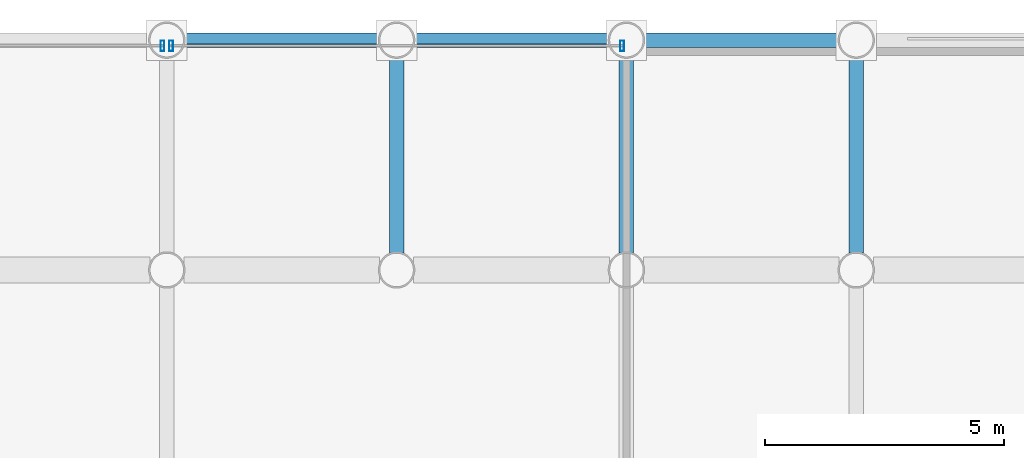
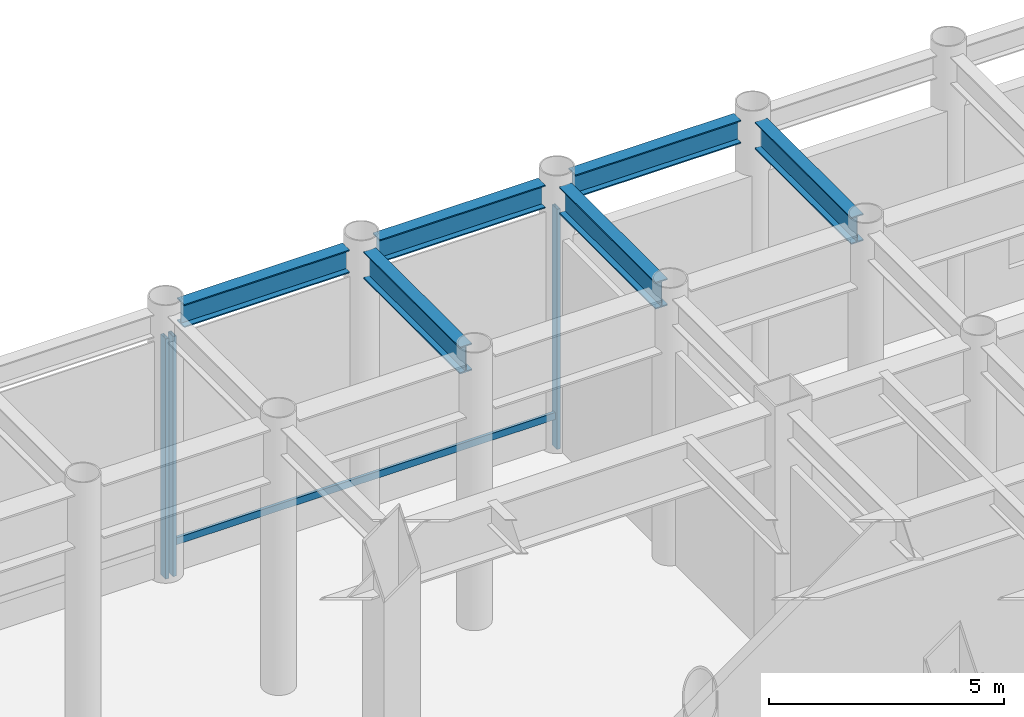
# One storey, part 12 of 23: 6 beams, 4 members, 2 elements without a shape of their own.
"""IFC4 building model written with IfcOpenShell, lengths in metres."""

from ifc_helpers import new_model, si_unit, direction, frame, origin, origin_2d, place, context, subcontext, project, spatial, hollow_rectangle, i_section, extrude, material, layer, layer_set, material_profile, profile_set, type_object, element, aggregate, save


model = new_model("IFC4")

# Units and contexts
model_context = context("Model", 3, precision=1e-05, world=origin(), true_north=direction((0.0, 1.0)))
body_context = subcontext(model_context, "Body", "Model", "MODEL_VIEW")
ifc_project = project(units=[si_unit("LENGTHUNIT", "METRE"), si_unit("AREAUNIT", "SQUARE_METRE"), si_unit("VOLUMEUNIT", "CUBIC_METRE"), si_unit("PLANEANGLEUNIT", "RADIAN"), si_unit("MASSUNIT", "GRAM", prefix="KILO")], contexts=[model_context])

# Site, building, storey
site_placement = place(None, origin())
site = spatial("IfcSite", under=ifc_project, at=site_placement, CompositionType="ELEMENT")
building_placement = place(site_placement, origin())
building = spatial("IfcBuilding", under=site, at=building_placement, Name="Kallvorn Hotel Tower", CompositionType="ELEMENT")
storey_placement = place(building_placement, frame((0.0, 0.0, 12.0)))
storey = spatial("IfcBuildingStorey", under=building, at=storey_placement, Name="L02", CompositionType="ELEMENT", Elevation=12.0)

# Beams
ifc_material_1 = material(Name="Structural steel S355JR", Category="steel")
ifc_material_profile_1 = material_profile(ifc_material_1, i_section(OverallWidth=0.300048828125, OverallDepth=0.60009765625, WebThickness=0.015380859375, FlangeThickness=0.030029296875, at=origin_2d()), Name="HE 600 B")
ifc_profile_set_1 = profile_set([ifc_material_profile_1], Name="Structural steel S355JR")
beam_type_1 = type_object("IfcBeamType", Name="BM_HE600B", PredefinedType="SPANDREL", material=ifc_profile_set_1)
for number, where, z_axis, x_axis, name in (
    (1, (5.1708984375, 24.0, 6.6201171875), (1.0, 0.0, 0.0), (0.0, 1.0, 0.0), "L03 Perimeter Spandrel 187"),
    (2, (9.970947265625, 24.0, 6.6201171875), (1.0, 0.0, 0.0), (0.0, 1.0, 0.0), "L03 Perimeter Spandrel 188"),
    (3, (14.77099609375, 24.0, 6.6201171875), (1.0, 0.0, 0.0), (0.0, 1.0, 0.0), "L03 Perimeter Spandrel 189"),
):
    element("IfcBeam", number, at=place(storey_placement, frame(where, z_axis=z_axis, x_axis=x_axis)), inside=storey, type_object=beam_type_1, Name=name, PredefinedType="SPANDREL", context=body_context, shape_type="SweptSolid", body=[
        extrude(i_section(OverallWidth=0.300048828125, OverallDepth=0.60009765625, WebThickness=0.015380859375, FlangeThickness=0.030029296875, at=origin_2d()), origin(), (0.0, 0.0, 1.0), 4.05810546875),
    ])
ifc_material_2 = material(Name="Structural steel S355JR", Category="steel")
ifc_material_profile_2 = material_profile(ifc_material_2, i_section(OverallWidth=0.300048828125, OverallDepth=0.699951171875, WebThickness=0.01708984375, FlangeThickness=0.031982421875, at=origin_2d()), Name="HE 700 B")
ifc_profile_set_2 = profile_set([ifc_material_profile_2], Name="Structural steel S355JR")
beam_type_2 = type_object("IfcBeamType", Name="BM_HE700B", PredefinedType="BEAM", material=ifc_profile_set_2)
for number, where, z_axis, x_axis, name in (
    (4, (9.60009765625, 19.555908203125, 6.570068359375), (0.0, 1.0, 0.0), (-1.0, 0.0, 0.0), "L03 Primary Y-Girder 133"),
    (5, (14.39990234375, 19.555908203125, 6.570068359375), (0.0, 1.0, 0.0), (-1.0, 0.0, 0.0), "L03 Primary Y-Girder 139"),
    (6, (19.199951171875, 19.555908203125, 6.570068359375), (0.0, 1.0, 0.0), (-1.0, 0.0, 0.0), "L03 Primary Y-Girder 149"),
):
    element("IfcBeam", number, at=place(storey_placement, frame(where, z_axis=z_axis, x_axis=x_axis)), inside=storey, type_object=beam_type_2, Name=name, PredefinedType="BEAM", context=body_context, shape_type="SweptSolid", body=[
        extrude(i_section(OverallWidth=0.300048828125, OverallDepth=0.699951171875, WebThickness=0.01708984375, FlangeThickness=0.031982421875, at=origin_2d()), origin(), (0.0, 0.0, 1.0), 4.088134765625),
    ])

# Curtain wall, member
ifc_material_3 = material(Name="Thermally broken black-anodised aluminium AA 6063-T6", Category="aluminium")
ifc_layer = layer(ifc_material_3, 0.219970703125)
ifc_layer_set = layer_set([ifc_layer], Name="CW_SYS_2_PODIUM_CASC")
curtain_wall_type = type_object("IfcCurtainWallType", Name="CW_SYS_2_PODIUM_CASC", PredefinedType="USERDEFINED", material=ifc_layer_set)
curtain_wall_1_placement = place(storey_placement, origin())
curtain_wall_1 = element("IfcCurtainWall", 7, at=curtain_wall_1_placement, inside=storey, type_object=curtain_wall_type, Name="L02 Dark-Glass Curtain Wall CW-L02-N2", ObjectType="UNITISED CURTAIN WALL", PredefinedType="USERDEFINED")
ifc_material_4 = material(Name="Thermally broken black-anodised aluminium AA 6063-T6", Category="aluminium")
ifc_material_profile_3 = material_profile(ifc_material_4, hollow_rectangle(XDim=0.080078125, YDim=0.219970703125, WallThickness=0.0048828125, at=origin_2d()), Name="MUL 220x80")
ifc_profile_set_3 = profile_set([ifc_material_profile_3], Name="Thermally broken black-anodised aluminium AA 6063-T6")
member_type_1 = type_object("IfcMemberType", Name="CW_MULLION_220x80", PredefinedType="MULLION", material=ifc_profile_set_3)
member_1_placement = place(storey_placement, frame((4.7099609375, 23.8798828125, 0.02001953125), z_axis=(0.0, 0.0, 1.0), x_axis=(1.0, 0.0, 0.0)))
member_1 = element("IfcMember", 8, at=member_1_placement, type_object=member_type_1, Name="CW-L02-N2 Mullion 01", PredefinedType="MULLION", context=body_context, shape_type="SweptSolid", body=[
    extrude(hollow_rectangle(XDim=0.080078125, YDim=0.219970703125, WallThickness=0.0048828125, at=origin_2d()), origin(), (0.0, 0.0, 1.0), 6.22998046875),
])
aggregate(curtain_wall_1, [member_1])

# Curtain wall, members
curtain_wall_2_placement = place(storey_placement, origin())
curtain_wall_2 = element("IfcCurtainWall", 9, at=curtain_wall_2_placement, inside=storey, type_object=curtain_wall_type, Name="L02 Dark-Glass Curtain Wall CW-L02-N3", ObjectType="UNITISED CURTAIN WALL", PredefinedType="USERDEFINED")
member_2_placement = place(storey_placement, frame((4.889892578125, 23.8798828125, 0.02001953125), z_axis=(0.0, 0.0, 1.0), x_axis=(1.0, 0.0, 0.0)))
member_2 = element("IfcMember", 10, at=member_2_placement, type_object=member_type_1, Name="CW-L02-N3 Mullion 00", PredefinedType="MULLION", context=body_context, shape_type="SweptSolid", body=[
    extrude(hollow_rectangle(XDim=0.080078125, YDim=0.219970703125, WallThickness=0.0048828125, at=origin_2d()), origin(), (0.0, 0.0, 1.0), 6.22998046875),
])
member_3_placement = place(storey_placement, frame((14.31005859375, 23.8798828125, 0.02001953125), z_axis=(0.0, 0.0, 1.0), x_axis=(1.0, 0.0, 0.0)))
member_3 = element("IfcMember", 11, at=member_3_placement, type_object=member_type_1, Name="CW-L02-N3 Mullion 01", PredefinedType="MULLION", context=body_context, shape_type="SweptSolid", body=[
    extrude(hollow_rectangle(XDim=0.080078125, YDim=0.219970703125, WallThickness=0.0048828125, at=origin_2d()), origin(), (0.0, 0.0, 1.0), 6.22998046875),
])
ifc_material_5 = material(Name="Thermally broken black-anodised aluminium AA 6063-T6", Category="aluminium")
ifc_material_profile_4 = material_profile(ifc_material_5, hollow_rectangle(XDim=0.070068359375, YDim=0.179931640625, WallThickness=0.00390625, at=origin_2d()), Name="TRN 180x70")
ifc_profile_set_4 = profile_set([ifc_material_profile_4], Name="Thermally broken black-anodised aluminium AA 6063-T6")
member_type_2 = type_object("IfcMemberType", Name="CW_TRANSOM_180x70", PredefinedType="USERDEFINED", material=ifc_profile_set_4)
member_4_placement = place(storey_placement, frame((4.889892578125, 23.8798828125, 0.85009765625), z_axis=(1.0, 0.0, 0.0), x_axis=(0.0, 1.0, 0.0)))
member_4 = element("IfcMember", 12, at=member_4_placement, type_object=member_type_2, Name="CW-L02-N3 Transom 00M", ObjectType="TRANSOM", PredefinedType="USERDEFINED", context=body_context, shape_type="SweptSolid", body=[
    extrude(hollow_rectangle(XDim=0.070068359375, YDim=0.179931640625, WallThickness=0.00390625, at=origin_2d()), origin(), (0.0, 0.0, 1.0), 9.420166015625),
])
aggregate(curtain_wall_2, [member_2, member_3, member_4])

save(model, "model.ifc")
